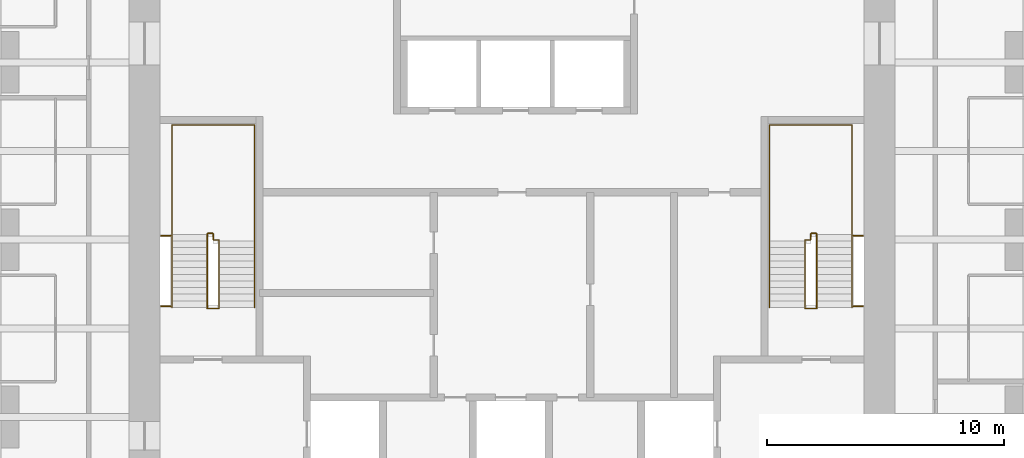
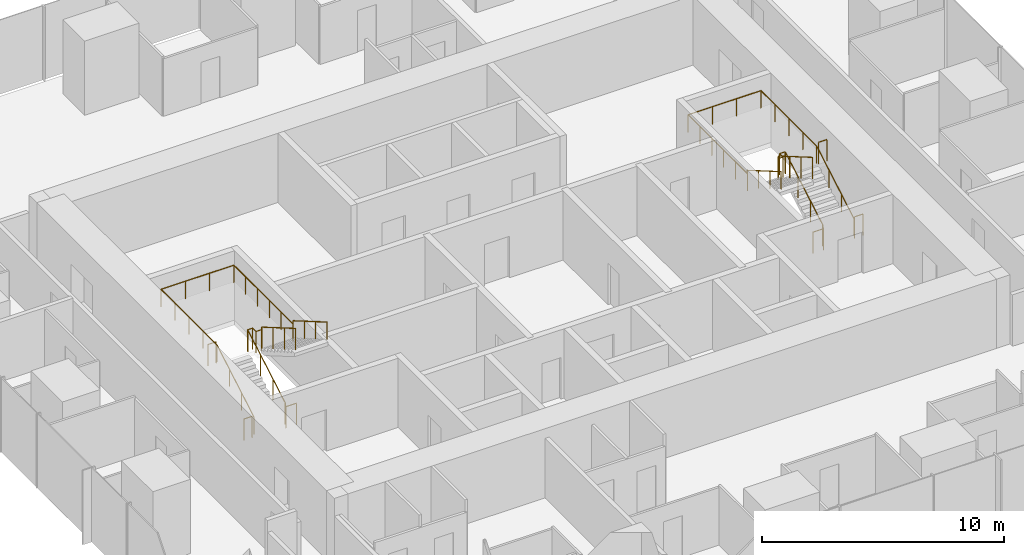
# One storey, part 12 of 12: 8 railings.
"""IFC4 building model written with IfcOpenShell, lengths in metres."""

from ifc_helpers import new_model, si_unit, direction, frame, origin, origin_2d, place, context, subcontext, project, spatial, circle, extrude, material, type_object, element, save


model = new_model("IFC4")

# Units and contexts
model_context = context("Model", 3, precision=1e-05, world=origin(), true_north=direction((0.0, 1.0)))
body_context = subcontext(model_context, "Body", "Model", "MODEL_VIEW")
ifc_project = project(units=[si_unit("LENGTHUNIT", "METRE"), si_unit("AREAUNIT", "SQUARE_METRE"), si_unit("VOLUMEUNIT", "CUBIC_METRE"), si_unit("PLANEANGLEUNIT", "RADIAN"), si_unit("MASSUNIT", "GRAM", prefix="KILO")], contexts=[model_context])

# Site, building, storey
site_placement = place(None, origin())
site = spatial("IfcSite", under=ifc_project, at=site_placement, CompositionType="ELEMENT")
building_placement = place(site_placement, origin())
building = spatial("IfcBuilding", under=site, at=building_placement, Name="Khuree Lantern Residences", CompositionType="ELEMENT")
storey_placement = place(building_placement, frame((0.0, 0.0, 293.25)))
storey = spatial("IfcBuildingStorey", under=building, at=storey_placement, Name="L73", CompositionType="ELEMENT", Elevation=293.25)

# Railings
ifc_material = material(Name="Steel S355", Category="steel")
railing_type_1 = type_object("IfcRailingType", Name="STAIR GUARD G1 1100", PredefinedType="GUARDRAIL", material=ifc_material)
railing_1_placement = place(storey_placement, frame((-12.35009765625, -2.909912109375, 0.0)))
element("IfcRailing", 1, at=railing_1_placement, inside=storey, type_object=railing_type_1, Name="Stair ST1 guard", PredefinedType="GUARDRAIL", context=body_context, shape_type="SweptSolid", body=[
    extrude(circle(Radius=0.02392578125, at=origin_2d()), frame((0.0, 0.0, 1.076171875), z_axis=(-1.0, 0.0, 0.0), x_axis=(0.0, -1.0, 0.0)), (0.0, 0.0, 1.0), 0.5),
    extrude(circle(Radius=0.02392578125, at=origin_2d()), frame((-0.5, 0.0, 1.076171875), z_axis=(0.0, 0.292073035251, 0.95639601739), x_axis=(-1.0, 0.0, 0.0)), (0.0, 0.0, 1.0), 0.17041015625),
    extrude(circle(Radius=0.02392578125, at=origin_2d()), frame((-0.5, 0.0498046875, 1.2392578125), z_axis=(0.0, 0.864176135923, 0.503189433615), x_axis=(-1.0, 0.0, 0.0)), (0.0, 0.0, 1.0), 3.564208984375),
    extrude(circle(Radius=0.02392578125, at=origin_2d()), frame((-0.5, 3.1298828125, 3.03271484375), z_axis=(0.0, 1.0, 0.0), x_axis=(-1.0, 0.0, 0.0)), (0.0, 0.0, 1.0), 0.050048828125),
    extrude(circle(Radius=0.02392578125, at=origin_2d()), frame((-0.5, 3.179931640625, 3.03271484375), z_axis=(1.0, 0.0, 0.0), x_axis=(0.0, 1.0, 0.0)), (0.0, 0.0, 1.0), 0.25),
    extrude(circle(Radius=0.02392578125, at=origin_2d()), frame((-0.25, 3.179931640625, 3.03271484375), z_axis=(0.0, -1.0, 0.0), x_axis=(1.0, 0.0, 0.0)), (0.0, 0.0, 1.0), 0.280029296875),
    extrude(circle(Radius=0.02392578125, at=origin_2d()), frame((-0.25, 2.89990234375, 3.03271484375), z_axis=(1.0, 0.0, 0.0), x_axis=(0.0, 1.0, 0.0)), (0.0, 0.0, 1.0), 0.25),
    extrude(circle(Radius=0.02392578125, at=origin_2d()), frame((0.0, 2.89990234375, 3.03271484375), z_axis=(0.0, -0.293381807449, 0.955995353053), x_axis=(1.0, 0.0, 0.0)), (0.0, 0.0, 1.0), 0.170654296875),
    extrude(circle(Radius=0.02392578125, at=origin_2d()), frame((0.0, 2.849853515625, 3.19580078125), z_axis=(0.0, -0.864180358799, 0.503182181189), x_axis=(1.0, 0.0, 0.0)), (0.0, 0.0, 1.0), 3.240234375),
    extrude(circle(Radius=0.02099609375, at=origin_2d()), origin(), (0.0, 0.0, 1.0), 1.052001953125),
    extrude(circle(Radius=0.02099609375, at=origin_2d()), frame((-0.5, 0.0, 0.0)), (0.0, 0.0, 1.0), 1.052001953125),
    extrude(circle(Radius=0.02099609375, at=origin_2d()), frame((-0.5, 0.0498046875, 0.1630859375)), (0.0, 0.0, 1.0), 1.052001953125),
    extrude(circle(Radius=0.02099609375, at=origin_2d()), frame((-0.5, 1.076416015625, 0.760986328125)), (0.0, 0.0, 1.0), 1.052001953125),
    extrude(circle(Radius=0.02099609375, at=origin_2d()), frame((-0.5, 2.103271484375, 1.358642578125)), (0.0, 0.0, 1.0), 1.052001953125),
    extrude(circle(Radius=0.02099609375, at=origin_2d()), frame((-0.5, 3.1298828125, 1.95654296875)), (0.0, 0.0, 1.0), 1.052001953125),
    extrude(circle(Radius=0.02099609375, at=origin_2d()), frame((-0.5, 3.179931640625, 1.95654296875)), (0.0, 0.0, 1.0), 1.052001953125),
    extrude(circle(Radius=0.02099609375, at=origin_2d()), frame((-0.25, 3.179931640625, 1.95654296875)), (0.0, 0.0, 1.0), 1.052001953125),
    extrude(circle(Radius=0.02099609375, at=origin_2d()), frame((-0.25, 2.89990234375, 1.95654296875)), (0.0, 0.0, 1.0), 1.052001953125),
    extrude(circle(Radius=0.02099609375, at=origin_2d()), frame((0.0, 2.89990234375, 1.95654296875)), (0.0, 0.0, 1.0), 1.052001953125),
    extrude(circle(Radius=0.02099609375, at=origin_2d()), frame((0.0, 2.849853515625, 2.11962890625)), (0.0, 0.0, 1.0), 1.052001953125),
    extrude(circle(Radius=0.02099609375, at=origin_2d()), frame((0.0, 1.91650390625, 2.6630859375)), (0.0, 0.0, 1.0), 1.052001953125),
    extrude(circle(Radius=0.02099609375, at=origin_2d()), frame((0.0, 0.983154296875, 3.20654296875)), (0.0, 0.0, 1.0), 1.052001953125),
    extrude(circle(Radius=0.02099609375, at=origin_2d()), frame((0.0, 0.0498046875, 3.75)), (0.0, 0.0, 1.0), 1.052001953125),
])
for number, where, name in (
    (2, (-14.800048828125, -2.81005859375, 0.0), "Stair ST1 landing slot guard"),
    (3, (-14.800048828125, 0.169921875, 1.95654296875), "Stair ST1 landing slot guard"),
):
    element("IfcRailing", number, at=place(storey_placement, frame(where)), inside=storey, type_object=railing_type_1, Name=name, PredefinedType="GUARDRAIL", context=body_context, shape_type="SweptSolid", body=[
        extrude(circle(Radius=0.02392578125, at=origin_2d()), frame((0.0, 0.0, 1.076171875), z_axis=(1.0, 0.0, 0.0), x_axis=(0.0, 1.0, 0.0)), (0.0, 0.0, 1.0), 0.400146484375),
        extrude(circle(Radius=0.02099609375, at=origin_2d()), origin(), (0.0, 0.0, 1.0), 1.052001953125),
        extrude(circle(Radius=0.02099609375, at=origin_2d()), frame((0.400146484375, 0.0, 0.0)), (0.0, 0.0, 1.0), 1.052001953125),
    ])
railing_2_placement = place(storey_placement, frame((12.35009765625, -2.909912109375, 0.0)))
element("IfcRailing", 4, at=railing_2_placement, inside=storey, type_object=railing_type_1, Name="Stair ST2 guard", PredefinedType="GUARDRAIL", context=body_context, shape_type="SweptSolid", body=[
    extrude(circle(Radius=0.02392578125, at=origin_2d()), frame((0.0, 0.0, 1.076171875), z_axis=(1.0, 0.0, 0.0), x_axis=(0.0, 1.0, 0.0)), (0.0, 0.0, 1.0), 0.5),
    extrude(circle(Radius=0.02392578125, at=origin_2d()), frame((0.5, 0.0, 1.076171875), z_axis=(0.0, 0.292073035251, 0.95639601739), x_axis=(-1.0, 0.0, 0.0)), (0.0, 0.0, 1.0), 0.17041015625),
    extrude(circle(Radius=0.02392578125, at=origin_2d()), frame((0.5, 0.0498046875, 1.2392578125), z_axis=(0.0, 0.864176135923, 0.503189433615), x_axis=(-1.0, 0.0, 0.0)), (0.0, 0.0, 1.0), 3.564208984375),
    extrude(circle(Radius=0.02392578125, at=origin_2d()), frame((0.5, 3.1298828125, 3.03271484375), z_axis=(0.0, 1.0, 0.0), x_axis=(-1.0, 0.0, 0.0)), (0.0, 0.0, 1.0), 0.050048828125),
    extrude(circle(Radius=0.02392578125, at=origin_2d()), frame((0.5, 3.179931640625, 3.03271484375), z_axis=(-1.0, 0.0, 0.0), x_axis=(0.0, -1.0, 0.0)), (0.0, 0.0, 1.0), 0.25),
    extrude(circle(Radius=0.02392578125, at=origin_2d()), frame((0.25, 3.179931640625, 3.03271484375), z_axis=(0.0, -1.0, 0.0), x_axis=(1.0, 0.0, 0.0)), (0.0, 0.0, 1.0), 0.280029296875),
    extrude(circle(Radius=0.02392578125, at=origin_2d()), frame((0.25, 2.89990234375, 3.03271484375), z_axis=(-1.0, 0.0, 0.0), x_axis=(0.0, -1.0, 0.0)), (0.0, 0.0, 1.0), 0.25),
    extrude(circle(Radius=0.02392578125, at=origin_2d()), frame((0.0, 2.89990234375, 3.03271484375), z_axis=(0.0, -0.293381807449, 0.955995353053), x_axis=(1.0, 0.0, 0.0)), (0.0, 0.0, 1.0), 0.170654296875),
    extrude(circle(Radius=0.02392578125, at=origin_2d()), frame((0.0, 2.849853515625, 3.19580078125), z_axis=(0.0, -0.864180358799, 0.503182181189), x_axis=(1.0, 0.0, 0.0)), (0.0, 0.0, 1.0), 3.240234375),
    extrude(circle(Radius=0.02099609375, at=origin_2d()), origin(), (0.0, 0.0, 1.0), 1.052001953125),
    extrude(circle(Radius=0.02099609375, at=origin_2d()), frame((0.5, 0.0, 0.0)), (0.0, 0.0, 1.0), 1.052001953125),
    extrude(circle(Radius=0.02099609375, at=origin_2d()), frame((0.5, 0.0498046875, 0.1630859375)), (0.0, 0.0, 1.0), 1.052001953125),
    extrude(circle(Radius=0.02099609375, at=origin_2d()), frame((0.5, 1.076416015625, 0.760986328125)), (0.0, 0.0, 1.0), 1.052001953125),
    extrude(circle(Radius=0.02099609375, at=origin_2d()), frame((0.5, 2.103271484375, 1.358642578125)), (0.0, 0.0, 1.0), 1.052001953125),
    extrude(circle(Radius=0.02099609375, at=origin_2d()), frame((0.5, 3.1298828125, 1.95654296875)), (0.0, 0.0, 1.0), 1.052001953125),
    extrude(circle(Radius=0.02099609375, at=origin_2d()), frame((0.5, 3.179931640625, 1.95654296875)), (0.0, 0.0, 1.0), 1.052001953125),
    extrude(circle(Radius=0.02099609375, at=origin_2d()), frame((0.25, 3.179931640625, 1.95654296875)), (0.0, 0.0, 1.0), 1.052001953125),
    extrude(circle(Radius=0.02099609375, at=origin_2d()), frame((0.25, 2.89990234375, 1.95654296875)), (0.0, 0.0, 1.0), 1.052001953125),
    extrude(circle(Radius=0.02099609375, at=origin_2d()), frame((0.0, 2.89990234375, 1.95654296875)), (0.0, 0.0, 1.0), 1.052001953125),
    extrude(circle(Radius=0.02099609375, at=origin_2d()), frame((0.0, 2.849853515625, 2.11962890625)), (0.0, 0.0, 1.0), 1.052001953125),
    extrude(circle(Radius=0.02099609375, at=origin_2d()), frame((0.0, 1.91650390625, 2.6630859375)), (0.0, 0.0, 1.0), 1.052001953125),
    extrude(circle(Radius=0.02099609375, at=origin_2d()), frame((0.0, 0.983154296875, 3.20654296875)), (0.0, 0.0, 1.0), 1.052001953125),
    extrude(circle(Radius=0.02099609375, at=origin_2d()), frame((0.0, 0.0498046875, 3.75)), (0.0, 0.0, 1.0), 1.052001953125),
])
for number, where, name in (
    (5, (14.800048828125, -2.81005859375, 0.0), "Stair ST2 landing slot guard"),
    (6, (14.800048828125, 0.169921875, 1.95654296875), "Stair ST2 landing slot guard"),
):
    element("IfcRailing", number, at=place(storey_placement, frame(where)), inside=storey, type_object=railing_type_1, Name=name, PredefinedType="GUARDRAIL", context=body_context, shape_type="SweptSolid", body=[
        extrude(circle(Radius=0.02392578125, at=origin_2d()), frame((0.0, 0.0, 1.076171875), z_axis=(-1.0, 0.0, 0.0), x_axis=(0.0, -1.0, 0.0)), (0.0, 0.0, 1.0), 0.400146484375),
        extrude(circle(Radius=0.02099609375, at=origin_2d()), origin(), (0.0, 0.0, 1.0), 1.052001953125),
        extrude(circle(Radius=0.02099609375, at=origin_2d()), frame((-0.400146484375, 0.0, 0.0)), (0.0, 0.0, 1.0), 1.052001953125),
    ])
railing_type_2 = type_object("IfcRailingType", Name="STAIR HANDRAIL H1 900", PredefinedType="HANDRAIL", material=ifc_material)
railing_3_placement = place(storey_placement, frame((-14.340087890625, -2.860107421875, 0.1630859375)))
element("IfcRailing", 7, at=railing_3_placement, inside=storey, type_object=railing_type_2, Name="Stair ST1 handrail", PredefinedType="HANDRAIL", context=body_context, shape_type="SweptSolid", body=[
    extrude(circle(Radius=0.02392578125, at=origin_2d()), frame((0.0, 0.0, 0.8759765625), z_axis=(0.0, 0.864176135923, 0.503189433615), x_axis=(-1.0, 0.0, 0.0)), (0.0, 0.0, 1.0), 3.564208984375),
    extrude(circle(Radius=0.02392578125, at=origin_2d()), frame((0.0, 3.080078125, 2.66943359375), z_axis=(0.0, 1.0, 0.0), x_axis=(-1.0, 0.0, 0.0)), (0.0, 0.0, 1.0), 4.6201171875),
    extrude(circle(Radius=0.02392578125, at=origin_2d()), frame((0.0, 7.7001953125, 2.66943359375), z_axis=(1.0, 0.0, 0.0), x_axis=(0.0, 1.0, 0.0)), (0.0, 0.0, 1.0), 3.47998046875),
    extrude(circle(Radius=0.02392578125, at=origin_2d()), frame((3.47998046875, 7.7001953125, 2.66943359375), z_axis=(0.0, -1.0, 0.0), x_axis=(1.0, 0.0, 0.0)), (0.0, 0.0, 1.0), 4.900146484375),
    extrude(circle(Radius=0.02392578125, at=origin_2d()), frame((3.47998046875, 2.800048828125, 2.66943359375), z_axis=(0.0, 0.0, 1.0), x_axis=(1.0, 0.0, 0.0)), (0.0, 0.0, 1.0), 0.1630859375),
    extrude(circle(Radius=0.02392578125, at=origin_2d()), frame((3.47998046875, 2.800048828125, 2.83251953125), z_axis=(0.0, -0.864180358799, 0.503182181189), x_axis=(1.0, 0.0, 0.0)), (0.0, 0.0, 1.0), 3.240234375),
    extrude(circle(Radius=0.02099609375, at=origin_2d()), origin(), (0.0, 0.0, 1.0), 0.851806640625),
    extrude(circle(Radius=0.02099609375, at=origin_2d()), frame((0.0, 1.026611328125, 0.597900390625)), (0.0, 0.0, 1.0), 0.851806640625),
    extrude(circle(Radius=0.02099609375, at=origin_2d()), frame((0.0, 2.053466796875, 1.195556640625)), (0.0, 0.0, 1.0), 0.851806640625),
    extrude(circle(Radius=0.02099609375, at=origin_2d()), frame((0.0, 3.080078125, 1.79345703125)), (0.0, 0.0, 1.0), 0.851806640625),
    extrude(circle(Radius=0.02099609375, at=origin_2d()), frame((0.0, 4.235107421875, 1.79345703125)), (0.0, 0.0, 1.0), 0.851806640625),
    extrude(circle(Radius=0.02099609375, at=origin_2d()), frame((0.0, 5.39013671875, 1.79345703125)), (0.0, 0.0, 1.0), 0.851806640625),
    extrude(circle(Radius=0.02099609375, at=origin_2d()), frame((0.0, 6.545166015625, 1.79345703125)), (0.0, 0.0, 1.0), 0.851806640625),
    extrude(circle(Radius=0.02099609375, at=origin_2d()), frame((0.0, 7.7001953125, 1.79345703125)), (0.0, 0.0, 1.0), 0.851806640625),
    extrude(circle(Radius=0.02099609375, at=origin_2d()), frame((1.159912109375, 7.7001953125, 1.79345703125)), (0.0, 0.0, 1.0), 0.851806640625),
    extrude(circle(Radius=0.02099609375, at=origin_2d()), frame((2.320068359375, 7.7001953125, 1.79345703125)), (0.0, 0.0, 1.0), 0.851806640625),
    extrude(circle(Radius=0.02099609375, at=origin_2d()), frame((3.47998046875, 7.7001953125, 1.79345703125)), (0.0, 0.0, 1.0), 0.851806640625),
    extrude(circle(Radius=0.02099609375, at=origin_2d()), frame((3.47998046875, 6.72021484375, 1.79345703125)), (0.0, 0.0, 1.0), 0.851806640625),
    extrude(circle(Radius=0.02099609375, at=origin_2d()), frame((3.47998046875, 5.740234375, 1.79345703125)), (0.0, 0.0, 1.0), 0.851806640625),
    extrude(circle(Radius=0.02099609375, at=origin_2d()), frame((3.47998046875, 4.760009765625, 1.79345703125)), (0.0, 0.0, 1.0), 0.851806640625),
    extrude(circle(Radius=0.02099609375, at=origin_2d()), frame((3.47998046875, 3.780029296875, 1.79345703125)), (0.0, 0.0, 1.0), 0.851806640625),
    extrude(circle(Radius=0.02099609375, at=origin_2d()), frame((3.47998046875, 2.800048828125, 1.79345703125)), (0.0, 0.0, 1.0), 0.851806640625),
    extrude(circle(Radius=0.02099609375, at=origin_2d()), frame((3.47998046875, 2.800048828125, 1.95654296875)), (0.0, 0.0, 1.0), 0.851806640625),
    extrude(circle(Radius=0.02099609375, at=origin_2d()), frame((3.47998046875, 1.86669921875, 2.5)), (0.0, 0.0, 1.0), 0.851806640625),
    extrude(circle(Radius=0.02099609375, at=origin_2d()), frame((3.47998046875, 0.933349609375, 3.04345703125)), (0.0, 0.0, 1.0), 0.851806640625),
    extrude(circle(Radius=0.02099609375, at=origin_2d()), frame((3.47998046875, 0.0, 3.5869140625)), (0.0, 0.0, 1.0), 0.851806640625),
])
railing_4_placement = place(storey_placement, frame((14.340087890625, -2.860107421875, 0.1630859375)))
element("IfcRailing", 8, at=railing_4_placement, inside=storey, type_object=railing_type_2, Name="Stair ST2 handrail", PredefinedType="HANDRAIL", context=body_context, shape_type="SweptSolid", body=[
    extrude(circle(Radius=0.02392578125, at=origin_2d()), frame((0.0, 0.0, 0.8759765625), z_axis=(0.0, 0.864176135923, 0.503189433615), x_axis=(-1.0, 0.0, 0.0)), (0.0, 0.0, 1.0), 3.564208984375),
    extrude(circle(Radius=0.02392578125, at=origin_2d()), frame((0.0, 3.080078125, 2.66943359375), z_axis=(0.0, 1.0, 0.0), x_axis=(-1.0, 0.0, 0.0)), (0.0, 0.0, 1.0), 4.6201171875),
    extrude(circle(Radius=0.02392578125, at=origin_2d()), frame((0.0, 7.7001953125, 2.66943359375), z_axis=(-1.0, 0.0, 0.0), x_axis=(0.0, -1.0, 0.0)), (0.0, 0.0, 1.0), 3.47998046875),
    extrude(circle(Radius=0.02392578125, at=origin_2d()), frame((-3.47998046875, 7.7001953125, 2.66943359375), z_axis=(0.0, -1.0, 0.0), x_axis=(1.0, 0.0, 0.0)), (0.0, 0.0, 1.0), 4.900146484375),
    extrude(circle(Radius=0.02392578125, at=origin_2d()), frame((-3.47998046875, 2.800048828125, 2.66943359375), z_axis=(0.0, 0.0, 1.0), x_axis=(1.0, 0.0, 0.0)), (0.0, 0.0, 1.0), 0.1630859375),
    extrude(circle(Radius=0.02392578125, at=origin_2d()), frame((-3.47998046875, 2.800048828125, 2.83251953125), z_axis=(0.0, -0.864180358799, 0.503182181189), x_axis=(1.0, 0.0, 0.0)), (0.0, 0.0, 1.0), 3.240234375),
    extrude(circle(Radius=0.02099609375, at=origin_2d()), origin(), (0.0, 0.0, 1.0), 0.851806640625),
    extrude(circle(Radius=0.02099609375, at=origin_2d()), frame((0.0, 1.026611328125, 0.597900390625)), (0.0, 0.0, 1.0), 0.851806640625),
    extrude(circle(Radius=0.02099609375, at=origin_2d()), frame((0.0, 2.053466796875, 1.195556640625)), (0.0, 0.0, 1.0), 0.851806640625),
    extrude(circle(Radius=0.02099609375, at=origin_2d()), frame((0.0, 3.080078125, 1.79345703125)), (0.0, 0.0, 1.0), 0.851806640625),
    extrude(circle(Radius=0.02099609375, at=origin_2d()), frame((0.0, 4.235107421875, 1.79345703125)), (0.0, 0.0, 1.0), 0.851806640625),
    extrude(circle(Radius=0.02099609375, at=origin_2d()), frame((0.0, 5.39013671875, 1.79345703125)), (0.0, 0.0, 1.0), 0.851806640625),
    extrude(circle(Radius=0.02099609375, at=origin_2d()), frame((0.0, 6.545166015625, 1.79345703125)), (0.0, 0.0, 1.0), 0.851806640625),
    extrude(circle(Radius=0.02099609375, at=origin_2d()), frame((0.0, 7.7001953125, 1.79345703125)), (0.0, 0.0, 1.0), 0.851806640625),
    extrude(circle(Radius=0.02099609375, at=origin_2d()), frame((-1.159912109375, 7.7001953125, 1.79345703125)), (0.0, 0.0, 1.0), 0.851806640625),
    extrude(circle(Radius=0.02099609375, at=origin_2d()), frame((-2.320068359375, 7.7001953125, 1.79345703125)), (0.0, 0.0, 1.0), 0.851806640625),
    extrude(circle(Radius=0.02099609375, at=origin_2d()), frame((-3.47998046875, 7.7001953125, 1.79345703125)), (0.0, 0.0, 1.0), 0.851806640625),
    extrude(circle(Radius=0.02099609375, at=origin_2d()), frame((-3.47998046875, 6.72021484375, 1.79345703125)), (0.0, 0.0, 1.0), 0.851806640625),
    extrude(circle(Radius=0.02099609375, at=origin_2d()), frame((-3.47998046875, 5.740234375, 1.79345703125)), (0.0, 0.0, 1.0), 0.851806640625),
    extrude(circle(Radius=0.02099609375, at=origin_2d()), frame((-3.47998046875, 4.760009765625, 1.79345703125)), (0.0, 0.0, 1.0), 0.851806640625),
    extrude(circle(Radius=0.02099609375, at=origin_2d()), frame((-3.47998046875, 3.780029296875, 1.79345703125)), (0.0, 0.0, 1.0), 0.851806640625),
    extrude(circle(Radius=0.02099609375, at=origin_2d()), frame((-3.47998046875, 2.800048828125, 1.79345703125)), (0.0, 0.0, 1.0), 0.851806640625),
    extrude(circle(Radius=0.02099609375, at=origin_2d()), frame((-3.47998046875, 2.800048828125, 1.95654296875)), (0.0, 0.0, 1.0), 0.851806640625),
    extrude(circle(Radius=0.02099609375, at=origin_2d()), frame((-3.47998046875, 1.86669921875, 2.5)), (0.0, 0.0, 1.0), 0.851806640625),
    extrude(circle(Radius=0.02099609375, at=origin_2d()), frame((-3.47998046875, 0.933349609375, 3.04345703125)), (0.0, 0.0, 1.0), 0.851806640625),
    extrude(circle(Radius=0.02099609375, at=origin_2d()), frame((-3.47998046875, 0.0, 3.5869140625)), (0.0, 0.0, 1.0), 0.851806640625),
])

save(model, "model.ifc")
